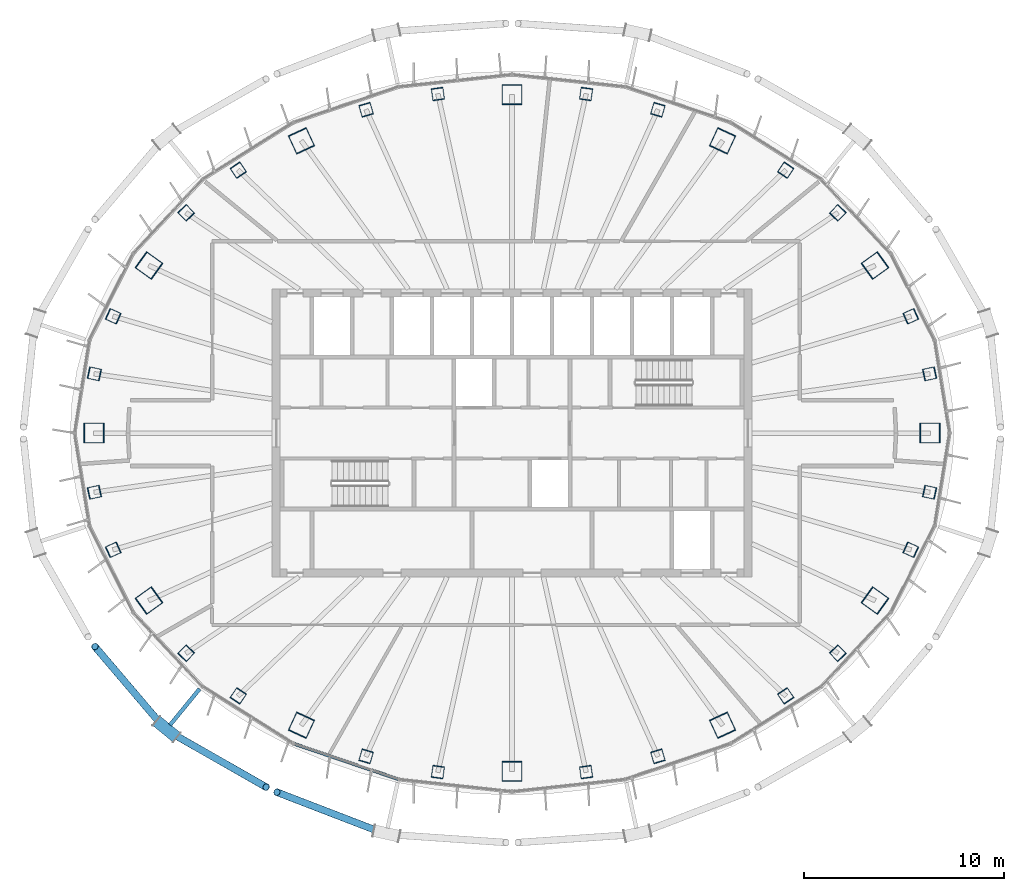
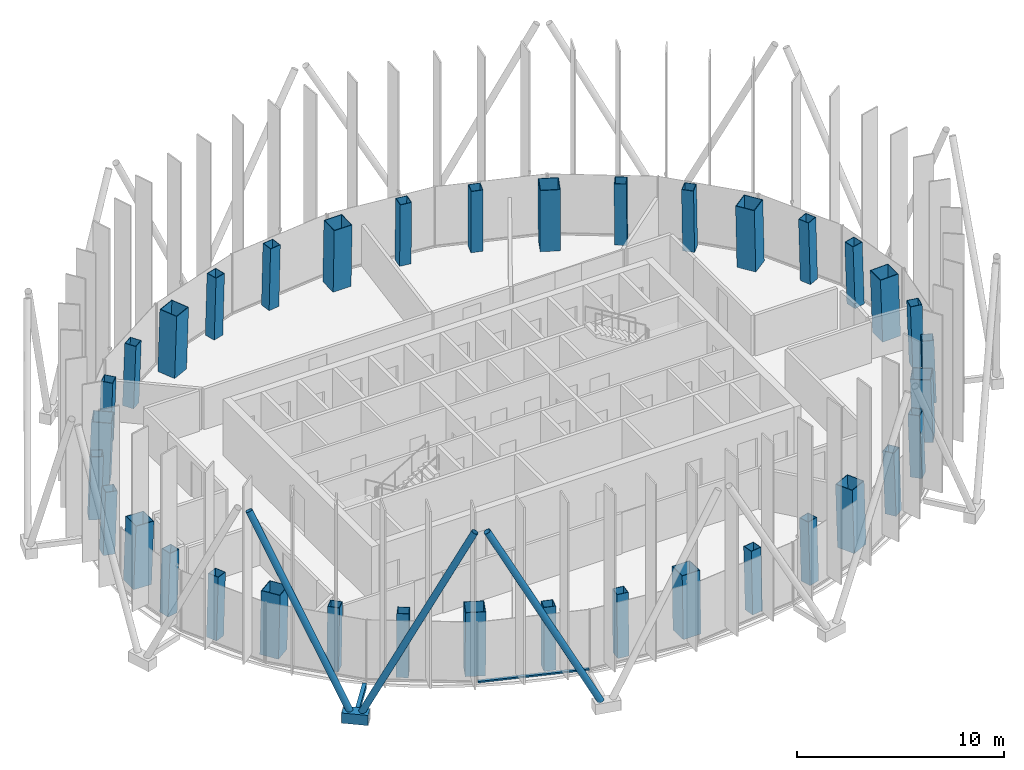
# One storey, part 1 of 19: 36 columns, 6 members, 1 element without a shape of its own.
"""IFC4 building model written with IfcOpenShell, lengths in metres."""

from ifc_helpers import new_model, si_unit, direction, frame, origin, origin_2d, place, context, subcontext, project, spatial, rectangle, hollow_rectangle, hollow_circle, extrude, material, layer, layer_set, material_profile, profile_set, type_object, element, aggregate, save


model = new_model("IFC4")

# Units and contexts
model_context = context("Model", 3, precision=1e-05, world=origin(), true_north=direction((0.0, 1.0)))
body_context = subcontext(model_context, "Body", "Model", "MODEL_VIEW")
ifc_project = project(units=[si_unit("LENGTHUNIT", "METRE"), si_unit("AREAUNIT", "SQUARE_METRE"), si_unit("VOLUMEUNIT", "CUBIC_METRE"), si_unit("PLANEANGLEUNIT", "RADIAN"), si_unit("MASSUNIT", "GRAM", prefix="KILO")], contexts=[model_context])

# Site, building, storey
site_placement = place(None, origin())
site = spatial("IfcSite", under=ifc_project, at=site_placement, CompositionType="ELEMENT")
building_placement = place(site_placement, origin())
building = spatial("IfcBuilding", under=site, at=building_placement, Name="Siaravel Broadcast Tower", CompositionType="ELEMENT")
storey_placement = place(building_placement, frame((0.0, 0.0, 217.10009765625)))
storey = spatial("IfcBuildingStorey", under=building, at=storey_placement, Name="L52", CompositionType="ELEMENT", Elevation=217.10009765625)

# Columns
ifc_material_1 = material(Name="Concrete C70/85", Category="concrete")
ifc_material_profile_1 = material_profile(ifc_material_1, hollow_rectangle(XDim=1.0, YDim=1.0, WallThickness=0.031982421875, at=origin_2d()))
ifc_profile_set_1 = profile_set([ifc_material_profile_1], Name="Concrete C70/85")
column_type_1 = type_object("IfcColumnType", Name="COL-CFT BOX 1000x1000x32", PredefinedType="COLUMN", material=ifc_profile_set_1)
column_1_placement = place(storey_placement, frame((20.92822265625, 0.0, 0.0), z_axis=(-0.034555398, 0.0, 0.999402784), x_axis=(0.0, -1.0, 0.0)))
element("IfcColumn", 1, at=column_1_placement, inside=storey, type_object=column_type_1, Name="Megacolumn MC01", PredefinedType="COLUMN", context=body_context, shape_type="SweptSolid", body=[
    extrude(hollow_rectangle(XDim=1.0, YDim=1.0, WallThickness=0.031982421875, at=origin_2d()), origin(), (0.0, 0.0, 1.0), 3.7021484375),
])
column_2_placement = place(storey_placement, frame((18.177978515625, 8.38818359375, 0.0), z_axis=(-0.030006556, -0.014178922, 0.999449131), x_axis=(0.583437368, -0.812136009, 0.005995035)))
element("IfcColumn", 2, at=column_2_placement, inside=storey, type_object=column_type_1, Name="Megacolumn MC02", PredefinedType="COLUMN", context=body_context, shape_type="SweptSolid", body=[
    extrude(hollow_rectangle(XDim=1.0, YDim=1.0, WallThickness=0.031982421875, at=origin_2d()), origin(), (0.0, 0.0, 1.0), 3.701904296875),
])
column_3_placement = place(storey_placement, frame((10.5439453125, 14.6318359375, 0.0), z_axis=(-0.017346173, -0.024535271, 0.999548463), x_axis=(0.907782095, -0.41940657, 0.005458756)))
element("IfcColumn", 3, at=column_3_placement, inside=storey, type_object=column_type_1, Name="Megacolumn MC03", PredefinedType="COLUMN", context=body_context, shape_type="SweptSolid", body=[
    extrude(hollow_rectangle(XDim=1.0, YDim=1.0, WallThickness=0.031982421875, at=origin_2d()), origin(), (0.0, 0.0, 1.0), 3.70166015625),
])
column_4_placement = place(storey_placement, frame((0.0, 16.943603515625, 0.0), z_axis=(0.0, -0.02836206, 0.999597716), x_axis=(1.0, 0.0, 0.0)))
element("IfcColumn", 4, at=column_4_placement, inside=storey, type_object=column_type_1, Name="Megacolumn MC04", PredefinedType="COLUMN", context=body_context, shape_type="SweptSolid", body=[
    extrude(hollow_rectangle(XDim=1.0, YDim=1.0, WallThickness=0.031982421875, at=origin_2d()), origin(), (0.0, 0.0, 1.0), 3.701416015625),
])
column_5_placement = place(storey_placement, frame((-10.5439453125, 14.6318359375, 0.0), z_axis=(0.017346173, -0.024535271, 0.999548463), x_axis=(0.907782095, 0.41940657, -0.005458756)))
element("IfcColumn", 5, at=column_5_placement, inside=storey, type_object=column_type_1, Name="Megacolumn MC05", PredefinedType="COLUMN", context=body_context, shape_type="SweptSolid", body=[
    extrude(hollow_rectangle(XDim=1.0, YDim=1.0, WallThickness=0.031982421875, at=origin_2d()), origin(), (0.0, 0.0, 1.0), 3.70166015625),
])
column_6_placement = place(storey_placement, frame((-18.177978515625, 8.38818359375, 0.0), z_axis=(0.030006556, -0.014178922, 0.999449131), x_axis=(0.583437368, 0.812136009, -0.005995035)))
element("IfcColumn", 6, at=column_6_placement, inside=storey, type_object=column_type_1, Name="Megacolumn MC06", PredefinedType="COLUMN", context=body_context, shape_type="SweptSolid", body=[
    extrude(hollow_rectangle(XDim=1.0, YDim=1.0, WallThickness=0.031982421875, at=origin_2d()), origin(), (0.0, 0.0, 1.0), 3.701904296875),
])
column_7_placement = place(storey_placement, frame((-20.92822265625, 0.0, 0.0), z_axis=(0.034555398, 0.0, 0.999402784), x_axis=(0.0, 1.0, 0.0)))
element("IfcColumn", 7, at=column_7_placement, inside=storey, type_object=column_type_1, Name="Megacolumn MC07", PredefinedType="COLUMN", context=body_context, shape_type="SweptSolid", body=[
    extrude(hollow_rectangle(XDim=1.0, YDim=1.0, WallThickness=0.031982421875, at=origin_2d()), origin(), (0.0, 0.0, 1.0), 3.7021484375),
])
column_8_placement = place(storey_placement, frame((-18.177978515625, -8.38818359375, 0.0), z_axis=(0.030006556, 0.014178922, 0.999449131), x_axis=(-0.583437368, 0.812136009, 0.005995035)))
element("IfcColumn", 8, at=column_8_placement, inside=storey, type_object=column_type_1, Name="Megacolumn MC08", PredefinedType="COLUMN", context=body_context, shape_type="SweptSolid", body=[
    extrude(hollow_rectangle(XDim=1.0, YDim=1.0, WallThickness=0.031982421875, at=origin_2d()), origin(), (0.0, 0.0, 1.0), 3.701904296875),
])
column_9_placement = place(storey_placement, frame((-10.5439453125, -14.6318359375, 0.0), z_axis=(0.017346173, 0.024535271, 0.999548463), x_axis=(-0.907782095, 0.41940657, 0.005458756)))
element("IfcColumn", 9, at=column_9_placement, inside=storey, type_object=column_type_1, Name="Megacolumn MC09", PredefinedType="COLUMN", context=body_context, shape_type="SweptSolid", body=[
    extrude(hollow_rectangle(XDim=1.0, YDim=1.0, WallThickness=0.031982421875, at=origin_2d()), origin(), (0.0, 0.0, 1.0), 3.70166015625),
])
column_10_placement = place(storey_placement, frame((0.0, -16.943603515625, 0.0), z_axis=(0.0, 0.02836206, 0.999597716), x_axis=(-1.0, 0.0, 0.0)))
element("IfcColumn", 10, at=column_10_placement, inside=storey, type_object=column_type_1, Name="Megacolumn MC10", PredefinedType="COLUMN", context=body_context, shape_type="SweptSolid", body=[
    extrude(hollow_rectangle(XDim=1.0, YDim=1.0, WallThickness=0.031982421875, at=origin_2d()), origin(), (0.0, 0.0, 1.0), 3.701416015625),
])
column_11_placement = place(storey_placement, frame((10.5439453125, -14.6318359375, 0.0), z_axis=(-0.017346173, 0.024535271, 0.999548463), x_axis=(-0.907782095, -0.41940657, -0.005458756)))
element("IfcColumn", 11, at=column_11_placement, inside=storey, type_object=column_type_1, Name="Megacolumn MC11", PredefinedType="COLUMN", context=body_context, shape_type="SweptSolid", body=[
    extrude(hollow_rectangle(XDim=1.0, YDim=1.0, WallThickness=0.031982421875, at=origin_2d()), origin(), (0.0, 0.0, 1.0), 3.70166015625),
])
column_12_placement = place(storey_placement, frame((18.177978515625, -8.38818359375, 0.0), z_axis=(-0.030006556, 0.014178922, 0.999449131), x_axis=(-0.583437368, -0.812136009, -0.005995035)))
element("IfcColumn", 12, at=column_12_placement, inside=storey, type_object=column_type_1, Name="Megacolumn MC12", PredefinedType="COLUMN", context=body_context, shape_type="SweptSolid", body=[
    extrude(hollow_rectangle(XDim=1.0, YDim=1.0, WallThickness=0.031982421875, at=origin_2d()), origin(), (0.0, 0.0, 1.0), 3.701904296875),
])
ifc_material_2 = material(Name="Concrete C50/60", Category="concrete")
ifc_material_profile_2 = material_profile(ifc_material_2, hollow_rectangle(XDim=0.60009765625, YDim=0.60009765625, WallThickness=0.02490234375, at=origin_2d()))
ifc_profile_set_2 = profile_set([ifc_material_profile_2], Name="Concrete C50/60")
column_type_2 = type_object("IfcColumnType", Name="COL-CFT BOX 600x600x25", PredefinedType="COLUMN", material=ifc_profile_set_2)
for number, where, z_axis, x_axis, name in (
    (13, (20.91162109375, 2.96484375, 0.0), (-0.034093914, -0.00487998, 0.999406719), (0.211702947, -0.977330988, 0.00244988), "Perimeter column C01"),
    (14, (19.96875, 5.846435546875, 0.0), (-0.032511791, -0.009694185, 0.999424337), (0.410521962, -0.911839558, 0.004509859), "Perimeter column C02"),
):
    element("IfcColumn", number, at=place(storey_placement, frame(where, z_axis=z_axis, x_axis=x_axis)), inside=storey, type_object=column_type_2, Name=name, PredefinedType="COLUMN", context=body_context, shape_type="SweptSolid", body=[
        extrude(hollow_rectangle(XDim=0.60009765625, YDim=0.60009765625, WallThickness=0.02490234375, at=origin_2d()), origin(), (0.0, 0.0, 1.0), 3.7021484375),
    ])
column_13_placement = place(storey_placement, frame((16.31591796875, 11.02587890625, 0.0), z_axis=(-0.026512147, -0.01826832, 0.999481553), x_axis=(0.72179449, -0.692076953, 0.006496606)))
element("IfcColumn", 15, at=column_13_placement, inside=storey, type_object=column_type_2, Name="Perimeter column C03", PredefinedType="COLUMN", context=body_context, shape_type="SweptSolid", body=[
    extrude(hollow_rectangle(XDim=0.60009765625, YDim=0.60009765625, WallThickness=0.02490234375, at=origin_2d()), origin(), (0.0, 0.0, 1.0), 3.701904296875),
])
column_14_placement = place(storey_placement, frame((13.706298828125, 13.162841796875, 0.0), z_axis=(-0.022226156, -0.021698532, 0.999517469), x_axis=(0.828663138, -0.559712439, 0.006276086)))
element("IfcColumn", 16, at=column_14_placement, inside=storey, type_object=column_type_2, Name="Perimeter column C04", PredefinedType="COLUMN", context=body_context, shape_type="SweptSolid", body=[
    extrude(hollow_rectangle(XDim=0.60009765625, YDim=0.60009765625, WallThickness=0.02490234375, at=origin_2d()), origin(), (0.0, 0.0, 1.0), 3.70166015625),
])
for number, where, z_axis, x_axis, name in (
    (17, (7.3056640625, 16.188720703125, 0.0), (-0.011872234, -0.026580613, 0.999576171), (0.959384759, -0.282073964, 0.003893992), "Perimeter column C05"),
    (18, (3.710693359375, 16.977783203125, 0.0), (-0.005936218, -0.027900223, 0.999593087), (0.990502245, -0.137481349, 0.002044909), "Perimeter column C06"),
    (19, (-3.710693359375, 16.977783203125, 0.0), (0.005936218, -0.027900223, 0.999593087), (0.990502245, 0.137481349, -0.002044909), "Perimeter column C07"),
    (20, (-7.3056640625, 16.188720703125, 0.0), (0.011872234, -0.026580613, 0.999576171), (0.959384759, 0.282073964, -0.003893992), "Perimeter column C08"),
):
    element("IfcColumn", number, at=place(storey_placement, frame(where, z_axis=z_axis, x_axis=x_axis)), inside=storey, type_object=column_type_2, Name=name, PredefinedType="COLUMN", context=body_context, shape_type="SweptSolid", body=[
        extrude(hollow_rectangle(XDim=0.60009765625, YDim=0.60009765625, WallThickness=0.02490234375, at=origin_2d()), origin(), (0.0, 0.0, 1.0), 3.701416015625),
    ])
column_15_placement = place(storey_placement, frame((-13.706298828125, 13.162841796875, 0.0), z_axis=(0.022226156, -0.021698532, 0.999517469), x_axis=(0.828663138, 0.559712439, -0.006276086)))
element("IfcColumn", 21, at=column_15_placement, inside=storey, type_object=column_type_2, Name="Perimeter column C09", PredefinedType="COLUMN", context=body_context, shape_type="SweptSolid", body=[
    extrude(hollow_rectangle(XDim=0.60009765625, YDim=0.60009765625, WallThickness=0.02490234375, at=origin_2d()), origin(), (0.0, 0.0, 1.0), 3.70166015625),
])
column_16_placement = place(storey_placement, frame((-16.31591796875, 11.02587890625, 0.0), z_axis=(0.026512147, -0.01826832, 0.999481553), x_axis=(0.72179449, 0.692076953, -0.006496606)))
element("IfcColumn", 22, at=column_16_placement, inside=storey, type_object=column_type_2, Name="Perimeter column C10", PredefinedType="COLUMN", context=body_context, shape_type="SweptSolid", body=[
    extrude(hollow_rectangle(XDim=0.60009765625, YDim=0.60009765625, WallThickness=0.02490234375, at=origin_2d()), origin(), (0.0, 0.0, 1.0), 3.701904296875),
])
for number, where, z_axis, x_axis, name in (
    (23, (-19.96875, 5.846435546875, 0.0), (0.032511791, -0.009694185, 0.999424337), (0.410521962, 0.911839558, -0.004509859), "Perimeter column C11"),
    (24, (-20.91162109375, 2.96484375, 0.0), (0.034093914, -0.00487998, 0.999406719), (0.211702947, 0.977330988, -0.00244988), "Perimeter column C12"),
    (25, (-20.91162109375, -2.96484375, 0.0), (0.034093914, 0.00487998, 0.999406719), (-0.211702947, 0.977330988, 0.00244988), "Perimeter column C13"),
    (26, (-19.96875, -5.846435546875, 0.0), (0.032511791, 0.009694185, 0.999424337), (-0.410521962, 0.911839558, 0.004509859), "Perimeter column C14"),
):
    element("IfcColumn", number, at=place(storey_placement, frame(where, z_axis=z_axis, x_axis=x_axis)), inside=storey, type_object=column_type_2, Name=name, PredefinedType="COLUMN", context=body_context, shape_type="SweptSolid", body=[
        extrude(hollow_rectangle(XDim=0.60009765625, YDim=0.60009765625, WallThickness=0.02490234375, at=origin_2d()), origin(), (0.0, 0.0, 1.0), 3.7021484375),
    ])
column_17_placement = place(storey_placement, frame((-16.31591796875, -11.02587890625, 0.0), z_axis=(0.026512147, 0.01826832, 0.999481553), x_axis=(-0.72179449, 0.692076953, 0.006496606)))
element("IfcColumn", 27, at=column_17_placement, inside=storey, type_object=column_type_2, Name="Perimeter column C15", PredefinedType="COLUMN", context=body_context, shape_type="SweptSolid", body=[
    extrude(hollow_rectangle(XDim=0.60009765625, YDim=0.60009765625, WallThickness=0.02490234375, at=origin_2d()), origin(), (0.0, 0.0, 1.0), 3.701904296875),
])
column_18_placement = place(storey_placement, frame((-13.706298828125, -13.162841796875, 0.0), z_axis=(0.022226156, 0.021698532, 0.999517469), x_axis=(-0.828663138, 0.559712439, 0.006276086)))
element("IfcColumn", 28, at=column_18_placement, inside=storey, type_object=column_type_2, Name="Perimeter column C16", PredefinedType="COLUMN", context=body_context, shape_type="SweptSolid", body=[
    extrude(hollow_rectangle(XDim=0.60009765625, YDim=0.60009765625, WallThickness=0.02490234375, at=origin_2d()), origin(), (0.0, 0.0, 1.0), 3.70166015625),
])
for number, where, z_axis, x_axis, name in (
    (29, (-7.3056640625, -16.188720703125, 0.0), (0.011872234, 0.026580613, 0.999576171), (-0.959384759, 0.282073964, 0.003893992), "Perimeter column C17"),
    (30, (-3.710693359375, -16.977783203125, 0.0), (0.005936218, 0.027900223, 0.999593087), (-0.990502245, 0.137481349, 0.002044909), "Perimeter column C18"),
    (31, (3.710693359375, -16.977783203125, 0.0), (-0.005936218, 0.027900223, 0.999593087), (-0.990502245, -0.137481349, -0.002044909), "Perimeter column C19"),
    (32, (7.3056640625, -16.188720703125, 0.0), (-0.011872234, 0.026580613, 0.999576171), (-0.959384759, -0.282073964, -0.003893992), "Perimeter column C20"),
):
    element("IfcColumn", number, at=place(storey_placement, frame(where, z_axis=z_axis, x_axis=x_axis)), inside=storey, type_object=column_type_2, Name=name, PredefinedType="COLUMN", context=body_context, shape_type="SweptSolid", body=[
        extrude(hollow_rectangle(XDim=0.60009765625, YDim=0.60009765625, WallThickness=0.02490234375, at=origin_2d()), origin(), (0.0, 0.0, 1.0), 3.701416015625),
    ])
column_19_placement = place(storey_placement, frame((13.706298828125, -13.162841796875, 0.0), z_axis=(-0.022226156, 0.021698532, 0.999517469), x_axis=(-0.828663138, -0.559712439, -0.006276086)))
element("IfcColumn", 33, at=column_19_placement, inside=storey, type_object=column_type_2, Name="Perimeter column C21", PredefinedType="COLUMN", context=body_context, shape_type="SweptSolid", body=[
    extrude(hollow_rectangle(XDim=0.60009765625, YDim=0.60009765625, WallThickness=0.02490234375, at=origin_2d()), origin(), (0.0, 0.0, 1.0), 3.70166015625),
])
column_20_placement = place(storey_placement, frame((16.31591796875, -11.02587890625, 0.0), z_axis=(-0.026512147, 0.01826832, 0.999481553), x_axis=(-0.72179449, -0.692076953, -0.006496606)))
element("IfcColumn", 34, at=column_20_placement, inside=storey, type_object=column_type_2, Name="Perimeter column C22", PredefinedType="COLUMN", context=body_context, shape_type="SweptSolid", body=[
    extrude(hollow_rectangle(XDim=0.60009765625, YDim=0.60009765625, WallThickness=0.02490234375, at=origin_2d()), origin(), (0.0, 0.0, 1.0), 3.701904296875),
])
for number, where, z_axis, x_axis, name in (
    (35, (19.96875, -5.846435546875, 0.0), (-0.032511791, 0.009694185, 0.999424337), (-0.410521962, -0.911839558, -0.004509859), "Perimeter column C23"),
    (36, (20.91162109375, -2.96484375, 0.0), (-0.034093914, 0.00487998, 0.999406719), (-0.211702947, -0.977330988, -0.00244988), "Perimeter column C24"),
):
    element("IfcColumn", number, at=place(storey_placement, frame(where, z_axis=z_axis, x_axis=x_axis)), inside=storey, type_object=column_type_2, Name=name, PredefinedType="COLUMN", context=body_context, shape_type="SweptSolid", body=[
        extrude(hollow_rectangle(XDim=0.60009765625, YDim=0.60009765625, WallThickness=0.02490234375, at=origin_2d()), origin(), (0.0, 0.0, 1.0), 3.7021484375),
    ])

# Curtain wall, member
ifc_material_3 = material(Name="Aluminium 6063-T6", Category="aluminium")
ifc_layer = layer(ifc_material_3, 0.159912109375)
ifc_layer_set = layer_set([ifc_layer], Name="Aluminium 6063-T6")
curtain_wall_type = type_object("IfcCurtainWallType", Name="Unitised curtain wall, zone 4", PredefinedType="NOTDEFINED", material=ifc_layer_set)
curtain_wall_placement = place(storey_placement, origin())
curtain_wall = element("IfcCurtainWall", 37, at=curtain_wall_placement, inside=storey, type_object=curtain_wall_type, Name="L52 Unitised curtain wall, zone 4 09", PredefinedType="NOTDEFINED")
ifc_material_profile_3 = material_profile(ifc_material_3, rectangle(XDim=0.159912109375, YDim=0.090087890625, at=origin_2d()))
ifc_profile_set_3 = profile_set([ifc_material_profile_3], Name="Aluminium 6063-T6")
member_type_1 = type_object("IfcMemberType", Name="CW-Z4 transom", PredefinedType="USERDEFINED", material=ifc_profile_set_3)
member_1_placement = place(storey_placement, frame((-10.887451171875, -15.552978515625, 0.044921875), z_axis=(0.946979908, -0.321292784, 0.0), x_axis=(0.321292784, 0.946979908, 0.0)))
member_1 = element("IfcMember", 38, at=member_1_placement, type_object=member_type_1, Name="CW-Z4 transom 1", ObjectType="TRANSOM", PredefinedType="USERDEFINED", context=body_context, shape_type="SweptSolid", body=[
    extrude(rectangle(XDim=0.159912109375, YDim=0.090087890625, at=origin_2d()), origin(), (0.0, 0.0, 1.0), 5.489990234375),
])
aggregate(curtain_wall, [member_1])

# Members
ifc_material_4 = material(Name="Steel S460", Category="steel")
ifc_material_profile_4 = material_profile(ifc_material_4, hollow_circle(Radius=0.177734375, WallThickness=0.012451171875, at=origin_2d()))
ifc_profile_set_4 = profile_set([ifc_material_profile_4], Name="Steel S460")
member_type_2 = type_object("IfcMemberType", Name="Diagrid diagonal CHS 355.6x12.5", PredefinedType="BRACE", material=ifc_profile_set_4)
member_2_placement = place(storey_placement, frame((-17.5078125, -14.6279296875, 0.06982421875), z_axis=(-0.284370555, 0.334140055, 0.89860103), x_axis=(-0.761543844, -0.648113396, 0.0)))
element("IfcMember", 39, at=member_2_placement, inside=storey, type_object=member_type_2, Name="Diagrid diagonal R22 station 45C", PredefinedType="BRACE", context=body_context, shape_type="SweptSolid", body=[
    extrude(hollow_circle(Radius=0.177734375, WallThickness=0.012451171875, at=origin_2d()), origin(), (0.0, 0.0, 1.0), 11.807373046875),
])
member_3_placement = place(storey_placement, frame((-17.05029296875, -15.00244140625, 0.06982421875), z_axis=(0.398166084, -0.227140765, 0.888746782), x_axis=(0.495509431, 0.868602558, 0.0)))
element("IfcMember", 40, at=member_3_placement, inside=storey, type_object=member_type_2, Name="Diagrid diagonal R22 station 45A", PredefinedType="BRACE", context=body_context, shape_type="SweptSolid", body=[
    extrude(hollow_circle(Radius=0.177734375, WallThickness=0.012451171875, at=origin_2d()), origin(), (0.0, 0.0, 1.0), 11.938232421875),
])
member_4_placement = place(storey_placement, frame((-6.567626953125, -19.966552734375, 0.06982421875), z_axis=(-0.433565517, 0.166901737, 0.885530774), x_axis=(-0.359252394, -0.933240439, 0.0)))
element("IfcMember", 41, at=member_4_placement, inside=storey, type_object=member_type_2, Name="Diagrid diagonal R22 station 51C", PredefinedType="BRACE", context=body_context, shape_type="SweptSolid", body=[
    extrude(hollow_circle(Radius=0.177734375, WallThickness=0.012451171875, at=origin_2d()), origin(), (0.0, 0.0, 1.0), 11.981689453125),
])
ifc_material_profile_5 = material_profile(ifc_material_4, hollow_rectangle(XDim=0.60009765625, YDim=0.60009765625, WallThickness=0.031982421875, at=origin_2d()))
ifc_profile_set_5 = profile_set([ifc_material_profile_5], Name="Steel S460")
member_type_3 = type_object("IfcMemberType", Name="Diagrid node BOX 600x600x32", PredefinedType="USERDEFINED", material=ifc_profile_set_5)
member_5_placement = place(storey_placement, frame((-17.779296875, -14.405517578125, -0.2001953125), z_axis=(0.773578687, -0.633700257, 0.0), x_axis=(0.633700257, 0.773578687, 0.0)))
element("IfcMember", 42, at=member_5_placement, inside=storey, type_object=member_type_3, Name="Diagrid node R22 station 45", ObjectType="DIAGRID NODE", PredefinedType="USERDEFINED", context=body_context, shape_type="SweptSolid", body=[
    extrude(hollow_rectangle(XDim=0.60009765625, YDim=0.60009765625, WallThickness=0.031982421875, at=origin_2d()), origin(), (0.0, 0.0, 1.0), 1.293212890625),
])
ifc_material_profile_6 = material_profile(ifc_material_4, hollow_rectangle(XDim=0.199951171875, YDim=0.300048828125, WallThickness=0.012451171875, at=origin_2d()))
ifc_profile_set_6 = profile_set([ifc_material_profile_6], Name="Steel S460")
member_type_4 = type_object("IfcMemberType", Name="Diagrid node arm RHS 300x200x12.5", PredefinedType="STRUT", material=ifc_profile_set_6)
member_6_placement = place(storey_placement, frame((-15.63134765625, -12.803955078125, -0.2001953125), z_axis=(-0.63375121, -0.773536944, 0.0), x_axis=(0.773536944, -0.63375121, 0.0)))
element("IfcMember", 43, at=member_6_placement, inside=storey, type_object=member_type_4, Name="Node arm R22 station 45", PredefinedType="STRUT", context=body_context, shape_type="SweptSolid", body=[
    extrude(hollow_rectangle(XDim=0.199951171875, YDim=0.300048828125, WallThickness=0.012451171875, at=origin_2d()), origin(), (0.0, 0.0, 1.0), 2.329833984375),
])

save(model, "model.ifc")
